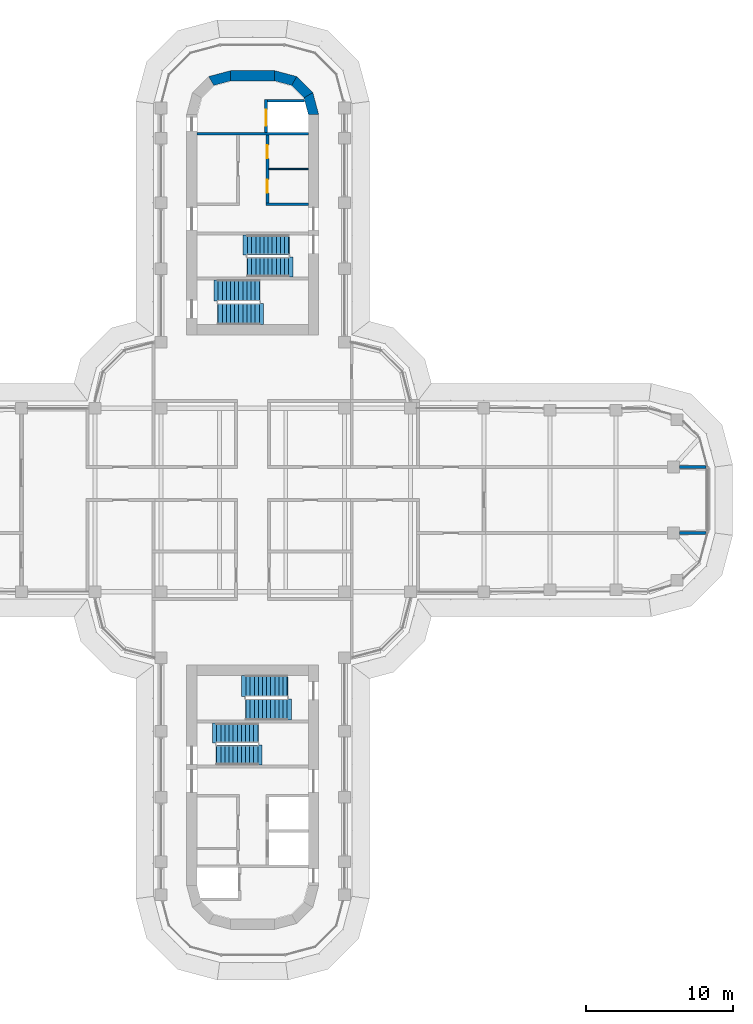
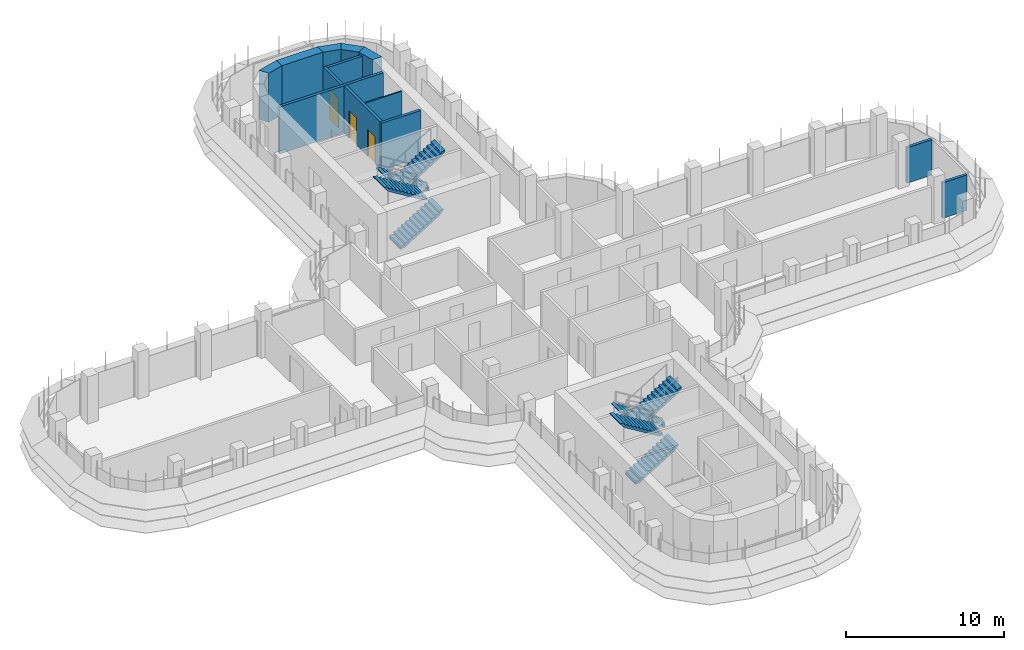
# One storey, part 15 of 19: 13 walls, 8 stair flights, 3 doors, 3 openings, 4 elements without a shape of their own.
"""IFC4 building model written with IfcOpenShell, lengths in metres."""

from ifc_helpers import new_model, si_unit, direction, frame, frame_2d, origin, place, context, subcontext, project, spatial, polyline, rectangle, outline, extrude, material, layer, layer_set, type_object, element, fill, aggregate, save


model = new_model("IFC4")

# Units and contexts
model_context = context("Model", 3, precision=1e-05, world=origin(), true_north=direction((0.0, 1.0)))
body_context = subcontext(model_context, "Body", "Model", "MODEL_VIEW")
ifc_project = project(units=[si_unit("LENGTHUNIT", "METRE"), si_unit("AREAUNIT", "SQUARE_METRE"), si_unit("VOLUMEUNIT", "CUBIC_METRE"), si_unit("PLANEANGLEUNIT", "RADIAN"), si_unit("MASSUNIT", "GRAM", prefix="KILO")], contexts=[model_context])

# Site, building, storey
site_placement = place(None, origin())
site = spatial("IfcSite", under=ifc_project, at=site_placement, CompositionType="ELEMENT")
building_placement = place(site_placement, origin())
building = spatial("IfcBuilding", under=site, at=building_placement, Name="Zarbagh Exchange Tower", CompositionType="ELEMENT")
storey_placement = place(building_placement, frame((0.0, 0.0, 182.800048828125)))
storey = spatial("IfcBuildingStorey", under=building, at=storey_placement, Name="L44", CompositionType="ELEMENT", Elevation=182.800048828125)

# Walls
ifc_material_1 = material(Name="Dense blockwork", Category="masonry")
ifc_layer_1 = layer(ifc_material_1, 0.10009765625)
ifc_layer_set_1 = layer_set([ifc_layer_1], Name="Core partition 100 mm blockwork")
wall_type_1 = type_object("IfcWallType", Name="Core partition 100 mm blockwork", PredefinedType="PARTITIONING", material=ifc_layer_set_1)
wall_1_placement = place(storey_placement, frame((1.10009765625, 22.550048828125, 0.0), z_axis=(0.0, 0.0, 1.0), x_axis=(1.0, 0.0, 0.0)))
element("IfcWall", 1, at=wall_1_placement, inside=storey, type_object=wall_type_1, Name="North core partition wall CUT-E-580", PredefinedType="PARTITIONING", context=body_context, shape_type="SweptSolid", body=[
    extrude(rectangle(XDim=2.699951171875, YDim=0.10009765625, at=frame_2d((1.35009765625, 0.0))), origin(), (0.0, 0.0, 1.0), 3.64990234375),
])
ifc_material_2 = material(Name="Fire-rated plasterboard partition")
ifc_layer_2 = layer(ifc_material_2, 0.199951171875)
ifc_layer_set_2 = layer_set([ifc_layer_2], Name="RATED PARTITION 200")
wall_type_2 = type_object("IfcWallType", Name="RATED PARTITION 200", PredefinedType="PARTITIONING", material=ifc_layer_set_2)
for number, where, z_axis, x_axis, name in (
    (2, (29.070068359375, 2.25, 0.0), (0.0, 0.0, 1.0), (1.0, 0.0, 0.0), "Partition W-1941"),
    (3, (29.070068359375, -2.25, 0.0), (0.0, 0.0, 1.0), (1.0, 0.0, 0.0), "Partition W-1943"),
):
    element("IfcWall", number, at=place(storey_placement, frame(where, z_axis=z_axis, x_axis=x_axis)), inside=storey, type_object=wall_type_2, Name=name, PredefinedType="PARTITIONING", context=body_context, shape_type="SweptSolid", body=[
        extrude(rectangle(XDim=1.809814453125, YDim=0.199951171875, at=frame_2d((0.90478515625, 0.0))), origin(), (0.0, 0.0, 1.0), 2.75),
    ])
ifc_material_3 = material(Name="Concrete C50/60", Category="concrete")
ifc_layer_3 = layer(ifc_material_3, 0.699951171875)
ifc_layer_set_3 = layer_set([ifc_layer_3], Name="RC core corner wall 700 C50/60")
wall_type_3 = type_object("IfcWallType", Name="RC core corner wall 700 C50/60", PredefinedType="SHEAR", material=ifc_layer_set_3)
wall_2_placement = place(storey_placement, origin())
element("IfcWall", 4, at=wall_2_placement, inside=storey, type_object=wall_type_3, Name="CW6 core N corner W", PredefinedType="SHEAR", context=body_context, shape_type="SweptSolid", body=[
    extrude(outline(polyline([(-3.0, 28.84814453125), (-1.5, 29.25), (-1.5, 28.550048828125), (-2.64990234375, 28.241943359375), (-3.0, 28.84814453125)])), origin(), (0.0, 0.0, 1.0), 3.800048828125),
])
wall_3_placement = place(storey_placement, origin())
element("IfcWall", 5, at=wall_3_placement, inside=storey, type_object=wall_type_3, Name="CW6 core N corner E", PredefinedType="SHEAR", context=body_context, shape_type="SweptSolid", body=[
    extrude(outline(polyline([(4.5, 26.25), (4.09814453125, 27.75), (3.491943359375, 27.39990234375), (3.800048828125, 26.25), (4.5, 26.25)])), origin(), (0.0, 0.0, 1.0), 3.800048828125),
])
wall_4_placement = place(storey_placement, origin())
element("IfcWall", 6, at=wall_4_placement, inside=storey, type_object=wall_type_3, Name="CW6 core N corner E", PredefinedType="SHEAR", context=body_context, shape_type="SweptSolid", body=[
    extrude(outline(polyline([(4.09814453125, 27.75), (3.0, 28.84814453125), (2.64990234375, 28.241943359375), (3.491943359375, 27.39990234375), (4.09814453125, 27.75)])), origin(), (0.0, 0.0, 1.0), 3.800048828125),
])
wall_5_placement = place(storey_placement, origin())
element("IfcWall", 7, at=wall_5_placement, inside=storey, type_object=wall_type_3, Name="CW6 core N corner E", PredefinedType="SHEAR", context=body_context, shape_type="SweptSolid", body=[
    extrude(outline(polyline([(3.0, 28.84814453125), (1.5, 29.25), (1.5, 28.550048828125), (2.64990234375, 28.241943359375), (3.0, 28.84814453125)])), origin(), (0.0, 0.0, 1.0), 3.800048828125),
])
ifc_layer_4 = layer(ifc_material_3, 0.699951171875)
ifc_layer_set_4 = layer_set([ifc_layer_4], Name="RC core wall 700 C50/60")
wall_type_4 = type_object("IfcWallType", Name="RC core wall 700 C50/60", PredefinedType="SHEAR", material=ifc_layer_set_4)
wall_6_placement = place(storey_placement, frame((-1.5, 28.89990234375, 0.0), z_axis=(0.0, 0.0, 1.0), x_axis=(1.0, 0.0, 0.0)))
element("IfcWall", 8, at=wall_6_placement, inside=storey, type_object=wall_type_4, Name="CW5 core N outer end", PredefinedType="SHEAR", context=body_context, shape_type="SweptSolid", body=[
    extrude(rectangle(XDim=3.0, YDim=0.699951171875, at=frame_2d((1.5, 0.0))), origin(), (0.0, 0.0, 1.0), 3.800048828125),
])
ifc_layer_5 = layer(ifc_material_1, 0.199951171875)
ifc_layer_set_5 = layer_set([ifc_layer_5], Name="Shaft wall 200 mm blockwork")
wall_type_5 = type_object("IfcWallType", Name="Shaft wall 200 mm blockwork", PredefinedType="PARTITIONING", material=ifc_layer_set_5)
wall_7_placement = place(storey_placement, frame((0.89990234375, 20.14990234375, 0.0), z_axis=(0.0, 0.0, 1.0), x_axis=(1.0, 0.0, 0.0)))
element("IfcWall", 9, at=wall_7_placement, inside=storey, type_object=wall_type_5, Name="North core shaft wall AB-E", PredefinedType="PARTITIONING", context=body_context, shape_type="SweptSolid", body=[
    extrude(rectangle(XDim=2.900146484375, YDim=0.199951171875, at=frame_2d((1.4501953125, 0.0))), origin(), (0.0, 0.0, 1.0), 3.64990234375),
])

# Wall, openings, doors
wall_8_placement = place(storey_placement, frame((1.0, 24.85009765625, 0.0), z_axis=(0.0, 0.0, 1.0), x_axis=(0.0, -1.0, 0.0)))
wall_8 = element("IfcWall", 10, at=wall_8_placement, inside=storey, type_object=wall_type_5, Name="North core shaft wall LW-E", PredefinedType="PARTITIONING", context=body_context, shape_type="SweptSolid", body=[
    extrude(rectangle(XDim=4.60009765625, YDim=0.199951171875, at=frame_2d((2.300048828125, 0.0))), origin(), (0.0, 0.0, 1.0), 3.64990234375),
])
opening_1_placement = place(wall_8_placement, frame((0.675048828125, 0.0, 0.0)))
opening_1 = element("IfcOpeningElement", 11, at=opening_1_placement, cuts=wall_8, Name="Opening CD3-900", PredefinedType="OPENING", context=body_context, shape_type="SweptSolid", body=[
    extrude(rectangle(XDim=0.89990234375, YDim=2.10009765625, at=frame_2d((0.449951171875, 1.050048828125))), frame((0.0, 0.10986328125, 0.0), z_axis=(0.0, -1.0, 0.0), x_axis=(1.0, 0.0, 0.0)), (0.0, 0.0, 1.0), 0.219970703125),
])
opening_2_placement = place(wall_8_placement, frame((3.02490234375, 0.0, 0.0)))
opening_2 = element("IfcOpeningElement", 12, at=opening_2_placement, cuts=wall_8, Name="Opening CD3-900", PredefinedType="OPENING", context=body_context, shape_type="SweptSolid", body=[
    extrude(rectangle(XDim=0.89990234375, YDim=2.10009765625, at=frame_2d((0.449951171875, 1.050048828125))), frame((0.0, 0.10986328125, 0.0), z_axis=(0.0, -1.0, 0.0), x_axis=(1.0, 0.0, 0.0)), (0.0, 0.0, 1.0), 0.219970703125),
])
ifc_material_4 = material(Name="Steel", Category="steel")
door_type_1 = type_object("IfcDoorType", Name="Core room door 900 x 2100", OperationType="NOTDEFINED", PredefinedType="DOOR", material=ifc_material_4)
door_1_placement = place(opening_1_placement, origin())
door_1 = element("IfcDoor", 13, at=door_1_placement, inside=storey, type_object=door_type_1, Name="North core Staff WC door RD-E-0", OperationType="SINGLE_SWING_RIGHT", OverallHeight=2.10009765625, OverallWidth=0.89990234375, PredefinedType="DOOR", context=body_context, shape_type="SweptSolid", body=[
    extrude(rectangle(XDim=0.89990234375, YDim=2.10009765625, at=frame_2d((0.449951171875, 1.050048828125))), frame((0.0, 0.02490234375, 0.0), z_axis=(0.0, -1.0, 0.0), x_axis=(1.0, 0.0, 0.0)), (0.0, 0.0, 1.0), 0.050048828125),
])
fill(opening_1, door_1)
door_2_placement = place(opening_2_placement, origin())
door_2 = element("IfcDoor", 14, at=door_2_placement, inside=storey, type_object=door_type_1, Name="North core Accessible WC door RD-E-1", OperationType="SINGLE_SWING_RIGHT", OverallHeight=2.10009765625, OverallWidth=0.89990234375, PredefinedType="DOOR", context=body_context, shape_type="SweptSolid", body=[
    extrude(rectangle(XDim=0.89990234375, YDim=2.10009765625, at=frame_2d((0.449951171875, 1.050048828125))), frame((0.0, 0.02490234375, 0.0), z_axis=(0.0, -1.0, 0.0), x_axis=(1.0, 0.0, 0.0)), (0.0, 0.0, 1.0), 0.050048828125),
])
fill(opening_2, door_2)

# Wall
ifc_material_5 = material(Name="Concrete C40/50", Category="concrete")
ifc_layer_6 = layer(ifc_material_5, 0.199951171875)
ifc_layer_set_6 = layer_set([ifc_layer_6], Name="Stair enclosure wall 200 mm RC C40/50")
wall_type_6 = type_object("IfcWallType", Name="Stair enclosure wall 200 mm RC C40/50", PredefinedType="SHEAR", material=ifc_layer_set_6)
wall_9_placement = place(storey_placement, frame((-3.800048828125, 24.949951171875, 0.0), z_axis=(0.0, 0.0, 1.0), x_axis=(1.0, 0.0, 0.0)))
element("IfcWall", 15, at=wall_9_placement, inside=storey, type_object=wall_type_6, Name="North core lift shaft wall FFA", PredefinedType="SHEAR", context=body_context, shape_type="SweptSolid", body=[
    extrude(rectangle(XDim=7.60009765625, YDim=0.199951171875, at=frame_2d((3.800048828125, 0.0))), origin(), (0.0, 0.0, 1.0), 3.64990234375),
])

# Wall, opening, door
wall_10_placement = place(storey_placement, frame((0.89990234375, 27.300048828125, 0.0), z_axis=(0.0, 0.0, 1.0), x_axis=(0.0, -1.0, 0.0)))
wall_10 = element("IfcWall", 16, at=wall_10_placement, inside=storey, type_object=wall_type_6, Name="North core lift shaft wall FFL", PredefinedType="SHEAR", context=body_context, shape_type="SweptSolid", body=[
    extrude(rectangle(XDim=2.25, YDim=0.199951171875, at=frame_2d((1.125, 0.0))), origin(), (0.0, 0.0, 1.0), 3.64990234375),
])
opening_3_placement = place(wall_10_placement, frame((0.699951171875, 0.0, 0.0)))
opening_3 = element("IfcOpeningElement", 17, at=opening_3_placement, cuts=wall_10, Name="Opening LD-1100", PredefinedType="OPENING", context=body_context, shape_type="SweptSolid", body=[
    extrude(rectangle(XDim=1.10009765625, YDim=2.300048828125, at=frame_2d((0.550048828125, 1.14990234375))), frame((0.0, 0.10986328125, 0.0), z_axis=(0.0, -1.0, 0.0), x_axis=(1.0, 0.0, 0.0)), (0.0, 0.0, 1.0), 0.219970703125),
])
ifc_material_6 = material(Name="Stainless steel", Category="steel")
door_type_2 = type_object("IfcDoorType", Name="Lift landing door 1100 x 2300", OperationType="NOTDEFINED", PredefinedType="DOOR", material=ifc_material_6)
door_3_placement = place(opening_3_placement, origin())
door_3 = element("IfcDoor", 18, at=door_3_placement, inside=storey, type_object=door_type_2, Name="North core lift landing door LD-F", OperationType="DOUBLE_DOOR_SLIDING", OverallHeight=2.300048828125, OverallWidth=1.10009765625, PredefinedType="DOOR", context=body_context, shape_type="SweptSolid", body=[
    extrude(rectangle(XDim=1.10009765625, YDim=2.300048828125, at=frame_2d((0.550048828125, 1.14990234375))), frame((0.0, 0.02490234375, 0.0), z_axis=(0.0, -1.0, 0.0), x_axis=(1.0, 0.0, 0.0)), (0.0, 0.0, 1.0), 0.050048828125),
])
fill(opening_3, door_3)

# Wall
wall_11_placement = place(storey_placement, origin())
element("IfcWall", 19, at=wall_11_placement, inside=storey, type_object=wall_type_6, Name="North core lift shaft wall FFX", PredefinedType="SHEAR", context=body_context, shape_type="SweptSolid", body=[
    extrude(outline(polyline([(1.0, 27.10009765625), (3.547607421875, 27.10009765625), (3.493896484375, 27.300048828125), (1.0, 27.300048828125), (1.0, 27.10009765625)])), origin(), (0.0, 0.0, 1.0), 3.64990234375),
])

# Stair, stair flights
stair_type = type_object("IfcStairType", Name="Exit stair two-flight half-turn", PredefinedType="HALF_TURN_STAIR", material=ifc_material_5)
stair_1_placement = place(storey_placement, origin())
stair_1 = element("IfcStair", 20, at=stair_1_placement, inside=storey, type_object=stair_type, Name="exit stair ST1", PredefinedType="HALF_TURN_STAIR")
stair_flight_type_1 = type_object("IfcStairFlightType", Name="Stair flight 1350 mm", PredefinedType="STRAIGHT", material=ifc_material_5)
stair_flight_1_placement = place(storey_placement, frame((2.449951171875, 17.375, 0.0), z_axis=(0.0, 0.0, 1.0), x_axis=(-1.0, 0.0, 0.0)))
stair_flight_1 = element("IfcStairFlight", 21, at=stair_flight_1_placement, type_object=stair_flight_type_1, Name="ST1 flight 1", NumberOfRisers=11, NumberOfTreads=10, PredefinedType="STRAIGHT", RiserHeight=0.172727273, TreadLength=0.28, context=body_context, shape_type="SweptSolid", body=[
    extrude(outline(polyline([(-0.050048828125, -0.050048828125), (-0.050048828125, 0.0), (0.0, 0.0), (0.0, 0.172607421875), (0.280029296875, 0.172607421875), (0.280029296875, 0.345458984375), (0.56005859375, 0.345458984375), (0.56005859375, 0.51806640625), (0.840087890625, 0.51806640625), (0.840087890625, 0.69091796875), (1.1201171875, 0.69091796875), (1.1201171875, 0.863525390625), (1.39990234375, 0.863525390625), (1.39990234375, 1.036376953125), (1.679931640625, 1.036376953125), (1.679931640625, 1.208984375), (1.9599609375, 1.208984375), (1.9599609375, 1.3818359375), (2.239990234375, 1.3818359375), (2.239990234375, 1.554443359375), (2.52001953125, 1.554443359375), (2.52001953125, 1.727294921875), (2.800048828125, 1.727294921875), (2.800048828125, 1.89990234375), (3.10009765625, 1.97998046875), (3.10009765625, 1.89990234375), (2.800048828125, 1.551025390625), (0.285400390625, 0.0), (-0.050048828125, -0.050048828125)])), frame((0.0, 0.675048828125, 0.0), z_axis=(0.0, -1.0, 0.0), x_axis=(1.0, 0.0, 0.0)), (0.0, 0.0, 1.0), 1.35009765625),
])
stair_flight_2_placement = place(storey_placement, frame((-0.35009765625, 15.875, 1.89990234375), z_axis=(0.0, 0.0, 1.0), x_axis=(1.0, 0.0, 0.0)))
stair_flight_2 = element("IfcStairFlight", 22, at=stair_flight_2_placement, type_object=stair_flight_type_1, Name="ST1 flight 2", NumberOfRisers=11, NumberOfTreads=10, PredefinedType="STRAIGHT", RiserHeight=0.172727273, TreadLength=0.28, context=body_context, shape_type="SweptSolid", body=[
    extrude(outline(polyline([(-0.050048828125, -0.050048828125), (-0.050048828125, 0.0), (0.0, 0.0), (0.0, 0.172607421875), (0.280029296875, 0.172607421875), (0.280029296875, 0.345458984375), (0.56005859375, 0.345458984375), (0.56005859375, 0.51806640625), (0.840087890625, 0.51806640625), (0.840087890625, 0.69091796875), (1.1201171875, 0.69091796875), (1.1201171875, 0.863525390625), (1.39990234375, 0.863525390625), (1.39990234375, 1.036376953125), (1.679931640625, 1.036376953125), (1.679931640625, 1.208984375), (1.9599609375, 1.208984375), (1.9599609375, 1.3818359375), (2.239990234375, 1.3818359375), (2.239990234375, 1.554443359375), (2.52001953125, 1.554443359375), (2.52001953125, 1.727294921875), (2.800048828125, 1.727294921875), (2.800048828125, 1.89990234375), (3.10009765625, 1.97998046875), (3.10009765625, 1.89990234375), (2.800048828125, 1.551025390625), (0.285400390625, 0.0), (-0.050048828125, -0.050048828125)])), frame((0.0, 0.675048828125, 0.0), z_axis=(0.0, -1.0, 0.0), x_axis=(1.0, 0.0, 0.0)), (0.0, 0.0, 1.0), 1.35009765625),
])
aggregate(stair_1, [stair_flight_1, stair_flight_2])

stair_2_placement = place(storey_placement, origin())
stair_2 = element("IfcStair", 23, at=stair_2_placement, inside=storey, type_object=stair_type, Name="exit stair ST3", PredefinedType="HALF_TURN_STAIR")
stair_flight_3_placement = place(storey_placement, frame((-2.449951171875, -17.375, 0.0), z_axis=(0.0, 0.0, 1.0), x_axis=(1.0, 0.0, 0.0)))
stair_flight_3 = element("IfcStairFlight", 24, at=stair_flight_3_placement, type_object=stair_flight_type_1, Name="ST3 flight 1", NumberOfRisers=11, NumberOfTreads=10, PredefinedType="STRAIGHT", RiserHeight=0.172727273, TreadLength=0.28, context=body_context, shape_type="SweptSolid", body=[
    extrude(outline(polyline([(-0.050048828125, -0.050048828125), (-0.050048828125, 0.0), (0.0, 0.0), (0.0, 0.172607421875), (0.280029296875, 0.172607421875), (0.280029296875, 0.345458984375), (0.56005859375, 0.345458984375), (0.56005859375, 0.51806640625), (0.840087890625, 0.51806640625), (0.840087890625, 0.69091796875), (1.1201171875, 0.69091796875), (1.1201171875, 0.863525390625), (1.39990234375, 0.863525390625), (1.39990234375, 1.036376953125), (1.679931640625, 1.036376953125), (1.679931640625, 1.208984375), (1.9599609375, 1.208984375), (1.9599609375, 1.3818359375), (2.239990234375, 1.3818359375), (2.239990234375, 1.554443359375), (2.52001953125, 1.554443359375), (2.52001953125, 1.727294921875), (2.800048828125, 1.727294921875), (2.800048828125, 1.89990234375), (3.10009765625, 1.97998046875), (3.10009765625, 1.89990234375), (2.800048828125, 1.551025390625), (0.285400390625, 0.0), (-0.050048828125, -0.050048828125)])), frame((0.0, 0.675048828125, 0.0), z_axis=(0.0, -1.0, 0.0), x_axis=(1.0, 0.0, 0.0)), (0.0, 0.0, 1.0), 1.35009765625),
])
stair_flight_4_placement = place(storey_placement, frame((0.35009765625, -15.875, 1.89990234375), z_axis=(0.0, 0.0, 1.0), x_axis=(-1.0, 0.0, 0.0)))
stair_flight_4 = element("IfcStairFlight", 25, at=stair_flight_4_placement, type_object=stair_flight_type_1, Name="ST3 flight 2", NumberOfRisers=11, NumberOfTreads=10, PredefinedType="STRAIGHT", RiserHeight=0.172727273, TreadLength=0.28, context=body_context, shape_type="SweptSolid", body=[
    extrude(outline(polyline([(-0.050048828125, -0.050048828125), (-0.050048828125, 0.0), (0.0, 0.0), (0.0, 0.172607421875), (0.280029296875, 0.172607421875), (0.280029296875, 0.345458984375), (0.56005859375, 0.345458984375), (0.56005859375, 0.51806640625), (0.840087890625, 0.51806640625), (0.840087890625, 0.69091796875), (1.1201171875, 0.69091796875), (1.1201171875, 0.863525390625), (1.39990234375, 0.863525390625), (1.39990234375, 1.036376953125), (1.679931640625, 1.036376953125), (1.679931640625, 1.208984375), (1.9599609375, 1.208984375), (1.9599609375, 1.3818359375), (2.239990234375, 1.3818359375), (2.239990234375, 1.554443359375), (2.52001953125, 1.554443359375), (2.52001953125, 1.727294921875), (2.800048828125, 1.727294921875), (2.800048828125, 1.89990234375), (3.10009765625, 1.97998046875), (3.10009765625, 1.89990234375), (2.800048828125, 1.551025390625), (0.285400390625, 0.0), (-0.050048828125, -0.050048828125)])), frame((0.0, 0.675048828125, 0.0), z_axis=(0.0, -1.0, 0.0), x_axis=(1.0, 0.0, 0.0)), (0.0, 0.0, 1.0), 1.35009765625),
])
aggregate(stair_2, [stair_flight_3, stair_flight_4])

stair_3_placement = place(storey_placement, origin())
stair_3 = element("IfcStair", 26, at=stair_3_placement, inside=storey, type_object=stair_type, Name="exit stair ST2", PredefinedType="HALF_TURN_STAIR")
stair_flight_type_2 = type_object("IfcStairFlightType", Name="Stair flight 1450 mm", PredefinedType="STRAIGHT", material=ifc_material_5)
stair_flight_5_placement = place(storey_placement, frame((-2.35009765625, 12.675048828125, 0.0), z_axis=(0.0, 0.0, 1.0), x_axis=(1.0, 0.0, 0.0)))
stair_flight_5 = element("IfcStairFlight", 27, at=stair_flight_5_placement, type_object=stair_flight_type_2, Name="ST2 flight 1", NumberOfRisers=11, NumberOfTreads=10, PredefinedType="STRAIGHT", RiserHeight=0.172727273, TreadLength=0.28, context=body_context, shape_type="SweptSolid", body=[
    extrude(outline(polyline([(-0.050048828125, -0.050048828125), (-0.050048828125, 0.0), (0.0, 0.0), (0.0, 0.172607421875), (0.280029296875, 0.172607421875), (0.280029296875, 0.345458984375), (0.56005859375, 0.345458984375), (0.56005859375, 0.51806640625), (0.840087890625, 0.51806640625), (0.840087890625, 0.69091796875), (1.1201171875, 0.69091796875), (1.1201171875, 0.863525390625), (1.39990234375, 0.863525390625), (1.39990234375, 1.036376953125), (1.679931640625, 1.036376953125), (1.679931640625, 1.208984375), (1.9599609375, 1.208984375), (1.9599609375, 1.3818359375), (2.239990234375, 1.3818359375), (2.239990234375, 1.554443359375), (2.52001953125, 1.554443359375), (2.52001953125, 1.727294921875), (2.800048828125, 1.727294921875), (2.800048828125, 1.89990234375), (3.10009765625, 1.97998046875), (3.10009765625, 1.89990234375), (2.800048828125, 1.551025390625), (0.285400390625, 0.0), (-0.050048828125, -0.050048828125)])), frame((0.0, 0.72509765625, 0.0), z_axis=(0.0, -1.0, 0.0), x_axis=(1.0, 0.0, 0.0)), (0.0, 0.0, 1.0), 1.449951171875),
])
stair_flight_6_placement = place(storey_placement, frame((0.449951171875, 14.27490234375, 1.89990234375), z_axis=(0.0, 0.0, 1.0), x_axis=(-1.0, 0.0, 0.0)))
stair_flight_6 = element("IfcStairFlight", 28, at=stair_flight_6_placement, type_object=stair_flight_type_2, Name="ST2 flight 2", NumberOfRisers=11, NumberOfTreads=10, PredefinedType="STRAIGHT", RiserHeight=0.172727273, TreadLength=0.28, context=body_context, shape_type="SweptSolid", body=[
    extrude(outline(polyline([(-0.050048828125, -0.050048828125), (-0.050048828125, 0.0), (0.0, 0.0), (0.0, 0.172607421875), (0.280029296875, 0.172607421875), (0.280029296875, 0.345458984375), (0.56005859375, 0.345458984375), (0.56005859375, 0.51806640625), (0.840087890625, 0.51806640625), (0.840087890625, 0.69091796875), (1.1201171875, 0.69091796875), (1.1201171875, 0.863525390625), (1.39990234375, 0.863525390625), (1.39990234375, 1.036376953125), (1.679931640625, 1.036376953125), (1.679931640625, 1.208984375), (1.9599609375, 1.208984375), (1.9599609375, 1.3818359375), (2.239990234375, 1.3818359375), (2.239990234375, 1.554443359375), (2.52001953125, 1.554443359375), (2.52001953125, 1.727294921875), (2.800048828125, 1.727294921875), (2.800048828125, 1.89990234375), (3.10009765625, 1.97998046875), (3.10009765625, 1.89990234375), (2.800048828125, 1.551025390625), (0.285400390625, 0.0), (-0.050048828125, -0.050048828125)])), frame((0.0, 0.72509765625, 0.0), z_axis=(0.0, -1.0, 0.0), x_axis=(1.0, 0.0, 0.0)), (0.0, 0.0, 1.0), 1.449951171875),
])
aggregate(stair_3, [stair_flight_5, stair_flight_6])

stair_4_placement = place(storey_placement, origin())
stair_4 = element("IfcStair", 29, at=stair_4_placement, inside=storey, type_object=stair_type, Name="exit stair ST4", PredefinedType="HALF_TURN_STAIR")
stair_flight_7_placement = place(storey_placement, frame((2.35009765625, -12.675048828125, 0.0), z_axis=(0.0, 0.0, 1.0), x_axis=(-1.0, 0.0, 0.0)))
stair_flight_7 = element("IfcStairFlight", 30, at=stair_flight_7_placement, type_object=stair_flight_type_2, Name="ST4 flight 1", NumberOfRisers=11, NumberOfTreads=10, PredefinedType="STRAIGHT", RiserHeight=0.172727273, TreadLength=0.28, context=body_context, shape_type="SweptSolid", body=[
    extrude(outline(polyline([(-0.050048828125, -0.050048828125), (-0.050048828125, 0.0), (0.0, 0.0), (0.0, 0.172607421875), (0.280029296875, 0.172607421875), (0.280029296875, 0.345458984375), (0.56005859375, 0.345458984375), (0.56005859375, 0.51806640625), (0.840087890625, 0.51806640625), (0.840087890625, 0.69091796875), (1.1201171875, 0.69091796875), (1.1201171875, 0.863525390625), (1.39990234375, 0.863525390625), (1.39990234375, 1.036376953125), (1.679931640625, 1.036376953125), (1.679931640625, 1.208984375), (1.9599609375, 1.208984375), (1.9599609375, 1.3818359375), (2.239990234375, 1.3818359375), (2.239990234375, 1.554443359375), (2.52001953125, 1.554443359375), (2.52001953125, 1.727294921875), (2.800048828125, 1.727294921875), (2.800048828125, 1.89990234375), (3.10009765625, 1.97998046875), (3.10009765625, 1.89990234375), (2.800048828125, 1.551025390625), (0.285400390625, 0.0), (-0.050048828125, -0.050048828125)])), frame((0.0, 0.72509765625, 0.0), z_axis=(0.0, -1.0, 0.0), x_axis=(1.0, 0.0, 0.0)), (0.0, 0.0, 1.0), 1.449951171875),
])
stair_flight_8_placement = place(storey_placement, frame((-0.449951171875, -14.27490234375, 1.89990234375), z_axis=(0.0, 0.0, 1.0), x_axis=(1.0, 0.0, 0.0)))
stair_flight_8 = element("IfcStairFlight", 31, at=stair_flight_8_placement, type_object=stair_flight_type_2, Name="ST4 flight 2", NumberOfRisers=11, NumberOfTreads=10, PredefinedType="STRAIGHT", RiserHeight=0.172727273, TreadLength=0.28, context=body_context, shape_type="SweptSolid", body=[
    extrude(outline(polyline([(-0.050048828125, -0.050048828125), (-0.050048828125, 0.0), (0.0, 0.0), (0.0, 0.172607421875), (0.280029296875, 0.172607421875), (0.280029296875, 0.345458984375), (0.56005859375, 0.345458984375), (0.56005859375, 0.51806640625), (0.840087890625, 0.51806640625), (0.840087890625, 0.69091796875), (1.1201171875, 0.69091796875), (1.1201171875, 0.863525390625), (1.39990234375, 0.863525390625), (1.39990234375, 1.036376953125), (1.679931640625, 1.036376953125), (1.679931640625, 1.208984375), (1.9599609375, 1.208984375), (1.9599609375, 1.3818359375), (2.239990234375, 1.3818359375), (2.239990234375, 1.554443359375), (2.52001953125, 1.554443359375), (2.52001953125, 1.727294921875), (2.800048828125, 1.727294921875), (2.800048828125, 1.89990234375), (3.10009765625, 1.97998046875), (3.10009765625, 1.89990234375), (2.800048828125, 1.551025390625), (0.285400390625, 0.0), (-0.050048828125, -0.050048828125)])), frame((0.0, 0.72509765625, 0.0), z_axis=(0.0, -1.0, 0.0), x_axis=(1.0, 0.0, 0.0)), (0.0, 0.0, 1.0), 1.449951171875),
])
aggregate(stair_4, [stair_flight_7, stair_flight_8])

save(model, "model.ifc")
